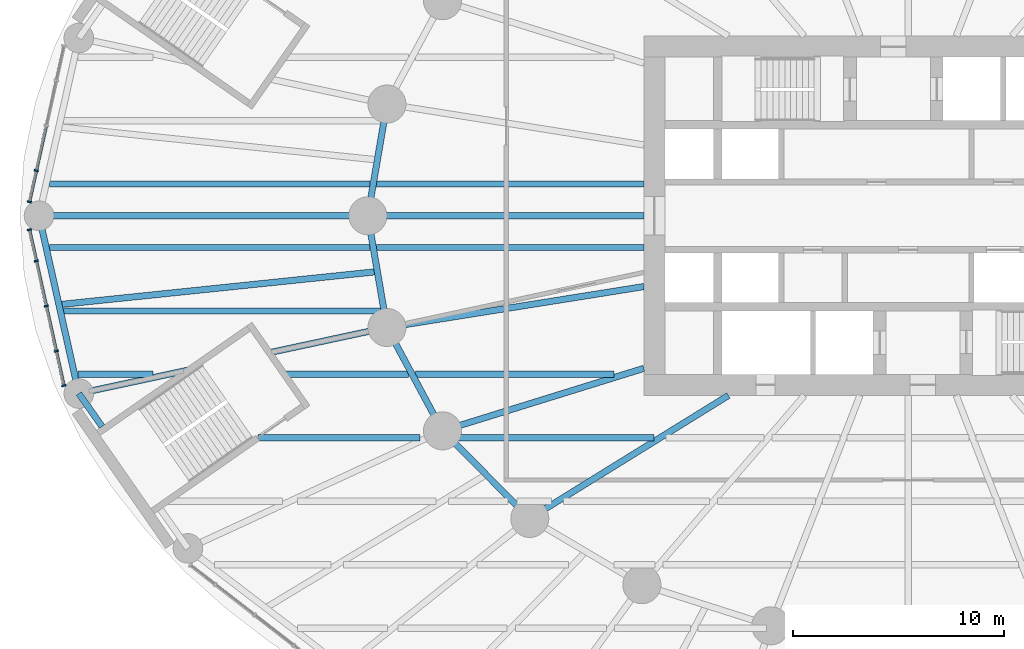
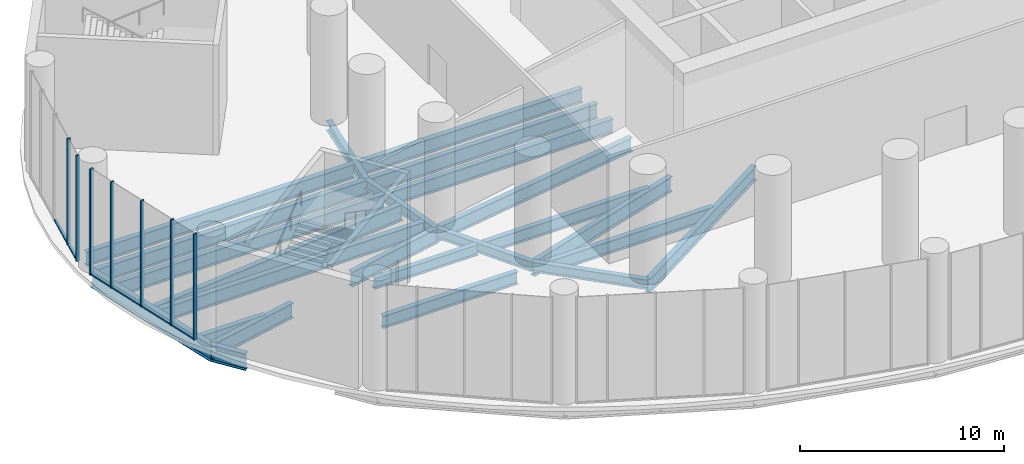
# One storey, part 3 of 22: 24 beams, 13 members, 2 elements without a shape of their own.
"""IFC4 building model written with IfcOpenShell, lengths in metres."""

from ifc_helpers import new_model, si_unit, direction, frame, origin, origin_2d, place, context, subcontext, project, spatial, rectangle, i_section, extrude, material, material_profile, profile_set, type_object, element, aggregate, save


model = new_model("IFC4")

# Units and contexts
model_context = context("Model", 3, precision=1e-05, world=origin(), true_north=direction((0.0, 1.0)))
body_context = subcontext(model_context, "Body", "Model", "MODEL_VIEW")
ifc_project = project(units=[si_unit("LENGTHUNIT", "METRE"), si_unit("AREAUNIT", "SQUARE_METRE"), si_unit("VOLUMEUNIT", "CUBIC_METRE"), si_unit("PLANEANGLEUNIT", "RADIAN"), si_unit("MASSUNIT", "GRAM", prefix="KILO")], contexts=[model_context])

# Site, building, storey
site_placement = place(None, origin())
site = spatial("IfcSite", under=ifc_project, at=site_placement, CompositionType="ELEMENT")
building_placement = place(site_placement, origin())
building = spatial("IfcBuilding", under=site, at=building_placement, Name="Hankou Lantern Tower", CompositionType="ELEMENT")
storey_placement = place(building_placement, frame((0.0, 0.0, 7.199951171875)))
storey = spatial("IfcBuildingStorey", under=building, at=storey_placement, Name="L01", CompositionType="ELEMENT", Elevation=7.199951171875)

# Beams
ifc_material_1 = material(Name="Steel Q355B", Category="steel")
ifc_material_profile_1 = material_profile(ifc_material_1, i_section(OverallWidth=0.300048828125, OverallDepth=0.587890625, WebThickness=0.011962890625, FlangeThickness=0.02001953125, FilletRadius=0.01806640625, at=origin_2d()), Name="HM588x300x12x20")
ifc_profile_set_1 = profile_set([ifc_material_profile_1], Name="Steel Q355B")
beam_type_1 = type_object("IfcBeamType", Name="EB16 RING BEAM HM588x300x12x20", PredefinedType="SPANDREL", material=ifc_profile_set_1)
for number, where, z_axis, x_axis, name in (
    (1, (-24.64697265625, 5.283203125, -0.5439453125), (-0.168489691988, -0.985703415685, 0.0), (0.985703415685, -0.168489691988, 0.0), "Ring beam R12-R13 L01"),
    (2, (-25.550048828125, 0.0, -0.5439453125), (0.168489691988, -0.985703415685, 0.0), (0.985703415685, 0.168489691988, 0.0), "Ring beam R13-R14 L01"),
):
    element("IfcBeam", number, at=place(storey_placement, frame(where, z_axis=z_axis, x_axis=x_axis)), inside=storey, type_object=beam_type_1, Name=name, PredefinedType="SPANDREL", context=body_context, shape_type="SweptSolid", body=[
        extrude(i_section(OverallWidth=0.300048828125, OverallDepth=0.587890625, WebThickness=0.011962890625, FlangeThickness=0.02001953125, FilletRadius=0.01806640625, at=origin_2d()), origin(), (0.0, 0.0, 1.0), 5.35986328125),
    ])
beam_1_placement = place(storey_placement, frame((-24.64697265625, -5.283203125, -0.5439453125), z_axis=(0.473609096023, -0.880735161194, 0.0), x_axis=(0.880735161194, 0.473609096023, 0.0)))
element("IfcBeam", 3, at=beam_1_placement, inside=storey, type_object=beam_type_1, Name="Ring beam R14-R15 L01", PredefinedType="SPANDREL", context=body_context, shape_type="SweptSolid", body=[
    extrude(i_section(OverallWidth=0.300048828125, OverallDepth=0.587890625, WebThickness=0.011962890625, FlangeThickness=0.02001953125, FilletRadius=0.01806640625, at=origin_2d()), origin(), (0.0, 0.0, 1.0), 5.548828125),
])
beam_2_placement = place(storey_placement, frame((-22.01904296875, -10.170166015625, -0.5439453125), z_axis=(0.705727798394, -0.708483079949, 0.0), x_axis=(0.708483079949, 0.705727798394, 0.0)))
element("IfcBeam", 4, at=beam_2_placement, inside=storey, type_object=beam_type_1, Name="Ring beam R15-R16 L01", PredefinedType="SPANDREL", context=body_context, shape_type="SweptSolid", body=[
    extrude(i_section(OverallWidth=0.300048828125, OverallDepth=0.587890625, WebThickness=0.011962890625, FlangeThickness=0.02001953125, FilletRadius=0.01806640625, at=origin_2d()), origin(), (0.0, 0.0, 1.0), 5.84814453125),
])

# Curtain wall, members
ifc_material_2 = material(Name="Glass, dark grey tinted laminated", Category="glass")
curtain_wall_type = type_object("IfcCurtainWallType", Name="CWP PODIUM CURTAIN WALL", PredefinedType="USERDEFINED", material=ifc_material_2)
curtain_wall_1_placement = place(storey_placement, origin())
curtain_wall_1 = element("IfcCurtainWall", 5, at=curtain_wall_1_placement, inside=storey, type_object=curtain_wall_type, Name="CWP L01 PC09", ObjectType="PODIUM GLAZING", PredefinedType="USERDEFINED")
ifc_material_3 = material(Name="Aluminium, black anodised", Category="aluminium")
ifc_material_profile_2 = material_profile(ifc_material_3, rectangle(XDim=0.080078125, YDim=0.199951171875, at=origin_2d()), Name="MU2 80X200")
ifc_profile_set_2 = profile_set([ifc_material_profile_2], Name="Aluminium, black anodised")
member_type_1 = type_object("IfcMemberType", Name="MU2 PODIUM MULLION 80X200", PredefinedType="MULLION", material=ifc_profile_set_2)
member_1_placement = place(storey_placement, frame((-41.228515625, 2.133544921875, 0.0), z_axis=(0.0, 0.0, 1.0), x_axis=(-0.215821488116, -0.976432837049, 0.0)))
member_1 = element("IfcMember", 6, at=member_1_placement, type_object=member_type_1, Name="CWP mullion 4", PredefinedType="MULLION", context=body_context, shape_type="SweptSolid", body=[
    extrude(rectangle(XDim=0.080078125, YDim=0.199951171875, at=origin_2d()), origin(), (0.0, 0.0, 1.0), 6.35009765625),
])
member_2_placement = place(storey_placement, frame((-41.55419921875, 0.659423828125, 0.0), z_axis=(0.0, 0.0, 1.0), x_axis=(-0.215821488116, -0.976432837049, 0.0)))
member_2 = element("IfcMember", 7, at=member_2_placement, type_object=member_type_1, Name="CWP mullion 5", PredefinedType="MULLION", context=body_context, shape_type="SweptSolid", body=[
    extrude(rectangle(XDim=0.080078125, YDim=0.199951171875, at=origin_2d()), origin(), (0.0, 0.0, 1.0), 6.35009765625),
])

curtain_wall_2_placement = place(storey_placement, origin())
curtain_wall_2 = element("IfcCurtainWall", 8, at=curtain_wall_2_placement, inside=storey, type_object=curtain_wall_type, Name="CWP L01 PC10", ObjectType="PODIUM GLAZING", PredefinedType="USERDEFINED")
member_3_placement = place(storey_placement, frame((-41.55419921875, -0.659423828125, 0.0), z_axis=(0.0, 0.0, 1.0), x_axis=(0.215821488116, -0.976432837049, 0.0)))
member_3 = element("IfcMember", 9, at=member_3_placement, type_object=member_type_1, Name="CWP mullion 1", PredefinedType="MULLION", context=body_context, shape_type="SweptSolid", body=[
    extrude(rectangle(XDim=0.080078125, YDim=0.199951171875, at=origin_2d()), origin(), (0.0, 0.0, 1.0), 6.35009765625),
])
member_4_placement = place(storey_placement, frame((-41.228515625, -2.133544921875, 0.0), z_axis=(0.0, 0.0, 1.0), x_axis=(0.215821488116, -0.976432837049, 0.0)))
member_4 = element("IfcMember", 10, at=member_4_placement, type_object=member_type_1, Name="CWP mullion 2", PredefinedType="MULLION", context=body_context, shape_type="SweptSolid", body=[
    extrude(rectangle(XDim=0.080078125, YDim=0.199951171875, at=origin_2d()), origin(), (0.0, 0.0, 1.0), 6.35009765625),
])
member_5_placement = place(storey_placement, frame((-40.7568359375, -4.267333984375, 0.0), z_axis=(0.0, 0.0, 1.0), x_axis=(0.215821488116, -0.976432837049, 0.0)))
member_5 = element("IfcMember", 11, at=member_5_placement, type_object=member_type_1, Name="CWP mullion 3", PredefinedType="MULLION", context=body_context, shape_type="SweptSolid", body=[
    extrude(rectangle(XDim=0.080078125, YDim=0.199951171875, at=origin_2d()), origin(), (0.0, 0.0, 1.0), 6.35009765625),
])
member_6_placement = place(storey_placement, frame((-40.28515625, -6.40087890625, 0.0), z_axis=(0.0, 0.0, 1.0), x_axis=(0.215821488116, -0.976432837049, 0.0)))
member_6 = element("IfcMember", 12, at=member_6_placement, type_object=member_type_1, Name="CWP mullion 4", PredefinedType="MULLION", context=body_context, shape_type="SweptSolid", body=[
    extrude(rectangle(XDim=0.080078125, YDim=0.199951171875, at=origin_2d()), origin(), (0.0, 0.0, 1.0), 6.35009765625),
])
member_7_placement = place(storey_placement, frame((-39.925537109375, -8.028564453125, 0.0), z_axis=(0.0, 0.0, 1.0), x_axis=(0.215821488116, -0.976432837049, 0.0)))
member_7 = element("IfcMember", 13, at=member_7_placement, type_object=member_type_1, Name="CWP mullion 5", PredefinedType="MULLION", context=body_context, shape_type="SweptSolid", body=[
    extrude(rectangle(XDim=0.080078125, YDim=0.199951171875, at=origin_2d()), origin(), (0.0, 0.0, 1.0), 6.35009765625),
])

# Beams
ifc_material_4 = material(Name="Steel Q355B", Category="steel")
ifc_material_profile_3 = material_profile(ifc_material_4, i_section(OverallWidth=0.300048828125, OverallDepth=0.89990234375, WebThickness=0.01611328125, FlangeThickness=0.028076171875, FilletRadius=0.01806640625, at=origin_2d()), Name="HN900x300x16x28")
ifc_profile_set_3 = profile_set([ifc_material_profile_3], Name="Steel Q355B")
beam_type_2 = type_object("IfcBeamType", Name="PB13 PODIUM RADIAL BEAM HN900x300x16x28", PredefinedType="BEAM", material=ifc_profile_set_3)
beam_3_placement = place(storey_placement, frame((-25.550048828125, 0.0, -0.699951171875), z_axis=(-1.0, 0.0, 0.0), x_axis=(0.0, -1.0, 0.0)))
element("IfcBeam", 14, at=beam_3_placement, inside=storey, type_object=beam_type_2, Name="Podium radial beam R13 L01", PredefinedType="BEAM", context=body_context, shape_type="SweptSolid", body=[
    extrude(i_section(OverallWidth=0.300048828125, OverallDepth=0.89990234375, WebThickness=0.01611328125, FlangeThickness=0.028076171875, FilletRadius=0.01806640625, at=origin_2d()), origin(), (0.0, 0.0, 1.0), 15.550048828125),
])
beam_4_placement = place(storey_placement, frame((-24.64697265625, -5.283203125, -0.699951171875), z_axis=(-0.977787338777, -0.209599427782, 0.0), x_axis=(0.209599427782, -0.977787338777, 0.0)))
element("IfcBeam", 15, at=beam_4_placement, inside=storey, type_object=beam_type_2, Name="Podium radial beam R14 L01 inner part", PredefinedType="BEAM", context=body_context, shape_type="SweptSolid", body=[
    extrude(i_section(OverallWidth=0.300048828125, OverallDepth=0.89990234375, WebThickness=0.01611328125, FlangeThickness=0.028076171875, FilletRadius=0.01806640625, at=origin_2d()), origin(), (0.0, 0.0, 1.0), 5.68896484375),
])
beam_5_placement = place(storey_placement, frame((-34.01025390625, -7.29052734375, -0.699951171875), z_axis=(-0.977788323488, -0.209594834028, 0.0), x_axis=(0.209594834028, -0.977788323488, 0.0)))
element("IfcBeam", 16, at=beam_5_placement, inside=storey, type_object=beam_type_2, Name="Podium radial beam R14 L01 outer part", PredefinedType="BEAM", context=body_context, shape_type="SweptSolid", body=[
    extrude(i_section(OverallWidth=0.300048828125, OverallDepth=0.89990234375, WebThickness=0.01611328125, FlangeThickness=0.028076171875, FilletRadius=0.01806640625, at=origin_2d()), origin(), (0.0, 0.0, 1.0), 5.32568359375),
])
ifc_material_5 = material(Name="Steel Q355B", Category="steel")
ifc_material_profile_4 = material_profile(ifc_material_5, i_section(OverallWidth=0.300048828125, OverallDepth=1.0, WebThickness=0.01904296875, FlangeThickness=0.035888671875, FilletRadius=0.01806640625, at=origin_2d()), Name="HN1000x300x19x36")
ifc_profile_set_4 = profile_set([ifc_material_profile_4], Name="Steel Q355B")
beam_type_3 = type_object("IfcBeamType", Name="PR22 PODIUM RING BEAM HN1000x300x19x36", PredefinedType="BEAM", material=ifc_profile_set_4)
beam_6_placement = place(storey_placement, frame((-41.10009765625, 0.0, -0.75), z_axis=(0.218523498172, -0.975831686689, 0.0), x_axis=(0.975831686689, 0.218523498172, 0.0)))
element("IfcBeam", 17, at=beam_6_placement, inside=storey, type_object=beam_type_3, Name="Podium ring beam R13-R14 L01", PredefinedType="BEAM", context=body_context, shape_type="SweptSolid", body=[
    extrude(i_section(OverallWidth=0.300048828125, OverallDepth=1.0, WebThickness=0.01904296875, FlangeThickness=0.035888671875, FilletRadius=0.01806640625, at=origin_2d()), origin(), (0.0, 0.0, 1.0), 8.614990234375),
])
beam_7_placement = place(storey_placement, frame((-39.217529296875, -8.40673828125, -0.75), z_axis=(0.576019631526, -0.817435859317, 0.0), x_axis=(0.817435859317, 0.576019631526, 0.0)))
element("IfcBeam", 18, at=beam_7_placement, inside=storey, type_object=beam_type_3, Name="Podium ring beam R14-R15 L01 west part", PredefinedType="BEAM", context=body_context, shape_type="SweptSolid", body=[
    extrude(i_section(OverallWidth=0.300048828125, OverallDepth=1.0, WebThickness=0.01904296875, FlangeThickness=0.035888671875, FilletRadius=0.01806640625, at=origin_2d()), origin(), (0.0, 0.0, 1.0), 1.9072265625),
])
ifc_material_6 = material(Name="Steel Q355B", Category="steel")
ifc_material_profile_5 = material_profile(ifc_material_6, i_section(OverallWidth=0.300048828125, OverallDepth=1.0, WebThickness=0.01904296875, FlangeThickness=0.035888671875, FilletRadius=0.01806640625, at=origin_2d()), Name="HN1000x300x19x36")
ifc_profile_set_5 = profile_set([ifc_material_profile_5], Name="Steel Q355B")
beam_type_4 = type_object("IfcBeamType", Name="PS22 PODIUM SECONDARY BEAM HN1000x300x19x36", PredefinedType="JOIST", material=ifc_profile_set_5)
beam_8_placement = place(storey_placement, frame((-25.098388671875, -2.6416015625, -0.75), z_axis=(-0.994666039581, -0.103147805132, 0.0), x_axis=(0.103147805132, -0.994666039581, 0.0)))
element("IfcBeam", 19, at=beam_8_placement, inside=storey, type_object=beam_type_4, Name="Podium secondary beam bay R13 L01", PredefinedType="JOIST", context=body_context, shape_type="SweptSolid", body=[
    extrude(i_section(OverallWidth=0.300048828125, OverallDepth=1.0, WebThickness=0.01904296875, FlangeThickness=0.035888671875, FilletRadius=0.01806640625, at=origin_2d()), origin(), (0.0, 0.0, 1.0), 15.14111328125),
])
ifc_material_7 = material(Name="Steel Q355B", Category="steel")
ifc_material_profile_6 = material_profile(ifc_material_7, i_section(OverallWidth=0.300048828125, OverallDepth=0.85009765625, WebThickness=0.01611328125, FlangeThickness=0.027099609375, FilletRadius=0.01806640625, at=origin_2d()), Name="HN850x300x16x27")
ifc_profile_set_6 = profile_set([ifc_material_profile_6], Name="Steel Q355B")
beam_type_5 = type_object("IfcBeamType", Name="RB12 RADIAL BEAM HN850x300x16x27", PredefinedType="BEAM", material=ifc_profile_set_6)
beam_9_placement = place(storey_placement, frame((-12.5, -3.349365234375, -0.675048828125), z_axis=(-0.987563081343, -0.157223281893, 0.0), x_axis=(0.157223281893, -0.987563081343, 0.0)))
element("IfcBeam", 20, at=beam_9_placement, inside=storey, type_object=beam_type_5, Name="Radial beam R14 L01", PredefinedType="BEAM", context=body_context, shape_type="SweptSolid", body=[
    extrude(i_section(OverallWidth=0.300048828125, OverallDepth=0.85009765625, WebThickness=0.01611328125, FlangeThickness=0.027099609375, FilletRadius=0.01806640625, at=origin_2d()), origin(), (0.0, 0.0, 1.0), 12.300048828125),
])
beam_10_placement = place(storey_placement, frame((-8.5, -8.5, -0.675048828125), z_axis=(-0.850286343288, -0.526320372414, 0.0), x_axis=(0.526320372414, -0.850286343288, 0.0)))
element("IfcBeam", 21, at=beam_10_placement, inside=storey, type_object=beam_type_5, Name="Radial beam R16 L01", PredefinedType="BEAM", context=body_context, shape_type="SweptSolid", body=[
    extrude(i_section(OverallWidth=0.300048828125, OverallDepth=0.85009765625, WebThickness=0.01611328125, FlangeThickness=0.027099609375, FilletRadius=0.01806640625, at=origin_2d()), origin(), (0.0, 0.0, 1.0), 11.04541015625),
])
ifc_material_8 = material(Name="Steel Q355B", Category="steel")
ifc_material_profile_7 = material_profile(ifc_material_8, i_section(OverallWidth=0.300048828125, OverallDepth=0.89990234375, WebThickness=0.01611328125, FlangeThickness=0.028076171875, FilletRadius=0.01806640625, at=origin_2d()), Name="HN900x300x16x28")
ifc_profile_set_7 = profile_set([ifc_material_profile_7], Name="Steel Q355B")
beam_type_6 = type_object("IfcBeamType", Name="RB13 RADIAL BEAM HN900x300x16x28", PredefinedType="BEAM", material=ifc_profile_set_7)
beam_11_placement = place(storey_placement, frame((-12.5, 0.0, -0.699951171875), z_axis=(-1.0, 0.0, 0.0), x_axis=(0.0, -1.0, 0.0)))
element("IfcBeam", 22, at=beam_11_placement, inside=storey, type_object=beam_type_6, Name="Radial beam R13 L01", PredefinedType="BEAM", context=body_context, shape_type="SweptSolid", body=[
    extrude(i_section(OverallWidth=0.300048828125, OverallDepth=0.89990234375, WebThickness=0.01611328125, FlangeThickness=0.028076171875, FilletRadius=0.01806640625, at=origin_2d()), origin(), (0.0, 0.0, 1.0), 13.050048828125),
])
beam_12_placement = place(storey_placement, frame((-12.5, -7.216796875, -0.699951171875), z_axis=(-0.955087327755, -0.29632447817, 0.0), x_axis=(0.29632447817, -0.955087327755, 0.0)))
element("IfcBeam", 23, at=beam_12_placement, inside=storey, type_object=beam_type_6, Name="Radial beam R15 L01", PredefinedType="BEAM", context=body_context, shape_type="SweptSolid", body=[
    extrude(i_section(OverallWidth=0.300048828125, OverallDepth=0.89990234375, WebThickness=0.01611328125, FlangeThickness=0.028076171875, FilletRadius=0.01806640625, at=origin_2d()), origin(), (0.0, 0.0, 1.0), 9.966552734375),
])
ifc_material_9 = material(Name="Steel Q355B", Category="steel")
ifc_material_profile_8 = material_profile(ifc_material_9, i_section(OverallWidth=0.300048828125, OverallDepth=0.75, WebThickness=0.012939453125, FlangeThickness=0.02392578125, FilletRadius=0.01806640625, at=origin_2d()), Name="HN750x300x13x24")
ifc_profile_set_8 = profile_set([ifc_material_profile_8], Name="Steel Q355B")
beam_type_7 = type_object("IfcBeamType", Name="SB10 SECONDARY BEAM HN750x300x13x24", PredefinedType="JOIST", material=ifc_profile_set_8)
beam_13_placement = place(storey_placement, frame((-30.743896484375, -10.5, -0.625), z_axis=(1.0, 0.0, 0.0), x_axis=(0.0, 1.0, 0.0)))
element("IfcBeam", 24, at=beam_13_placement, inside=storey, type_object=beam_type_7, Name="Floor joist J059 L01", PredefinedType="JOIST", context=body_context, shape_type="SweptSolid", body=[
    extrude(i_section(OverallWidth=0.300048828125, OverallDepth=0.75, WebThickness=0.012939453125, FlangeThickness=0.02392578125, FilletRadius=0.01806640625, at=origin_2d()), origin(), (0.0, 0.0, 1.0), 7.653076171875),
])
beam_14_placement = place(storey_placement, frame((-21.478759765625, -10.5, -0.625), z_axis=(1.0, 0.0, 0.0), x_axis=(0.0, 1.0, 0.0)))
element("IfcBeam", 25, at=beam_14_placement, inside=storey, type_object=beam_type_7, Name="Floor joist J060 L01", PredefinedType="JOIST", context=body_context, shape_type="SweptSolid", body=[
    extrude(i_section(OverallWidth=0.300048828125, OverallDepth=0.75, WebThickness=0.012939453125, FlangeThickness=0.02392578125, FilletRadius=0.01806640625, at=origin_2d()), origin(), (0.0, 0.0, 1.0), 9.462646484375),
])
beam_15_placement = place(storey_placement, frame((-23.28466796875, -7.5, -0.625), z_axis=(1.0, 0.0, 0.0), x_axis=(0.0, 1.0, 0.0)))
element("IfcBeam", 26, at=beam_15_placement, inside=storey, type_object=beam_type_7, Name="Floor joist J071 L01", PredefinedType="JOIST", context=body_context, shape_type="SweptSolid", body=[
    extrude(i_section(OverallWidth=0.300048828125, OverallDepth=0.75, WebThickness=0.012939453125, FlangeThickness=0.02392578125, FilletRadius=0.01806640625, at=origin_2d()), origin(), (0.0, 0.0, 1.0), 9.365966796875),
])
ifc_material_10 = material(Name="Steel Q355B", Category="steel")
ifc_material_profile_9 = material_profile(ifc_material_10, i_section(OverallWidth=0.300048828125, OverallDepth=0.85009765625, WebThickness=0.01611328125, FlangeThickness=0.027099609375, FilletRadius=0.01806640625, at=origin_2d()), Name="HN850x300x16x27")
ifc_profile_set_9 = profile_set([ifc_material_profile_9], Name="Steel Q355B")
beam_type_8 = type_object("IfcBeamType", Name="SB12 SECONDARY BEAM HN850x300x16x27", PredefinedType="JOIST", material=ifc_profile_set_9)
beam_16_placement = place(storey_placement, frame((-39.938720703125, -4.5, -0.675048828125), z_axis=(1.0, 0.0, 0.0), x_axis=(0.0, 1.0, 0.0)))
element("IfcBeam", 27, at=beam_16_placement, inside=storey, type_object=beam_type_8, Name="Floor joist J075 L01", PredefinedType="JOIST", context=body_context, shape_type="SweptSolid", body=[
    extrude(i_section(OverallWidth=0.300048828125, OverallDepth=0.85009765625, WebThickness=0.01611328125, FlangeThickness=0.027099609375, FilletRadius=0.01806640625, at=origin_2d()), origin(), (0.0, 0.0, 1.0), 15.005615234375),
])
beam_17_placement = place(storey_placement, frame((-40.6103515625, -1.5, -0.675048828125), z_axis=(1.0, 0.0, 0.0), x_axis=(0.0, 1.0, 0.0)))
element("IfcBeam", 28, at=beam_17_placement, inside=storey, type_object=beam_type_8, Name="Floor joist J081 L01", PredefinedType="JOIST", context=body_context, shape_type="SweptSolid", body=[
    extrude(i_section(OverallWidth=0.300048828125, OverallDepth=0.85009765625, WebThickness=0.01611328125, FlangeThickness=0.027099609375, FilletRadius=0.01806640625, at=origin_2d()), origin(), (0.0, 0.0, 1.0), 15.16455078125),
])
beam_18_placement = place(storey_placement, frame((-25.141357421875, -1.5, -0.675048828125), z_axis=(1.0, 0.0, 0.0), x_axis=(0.0, 1.0, 0.0)))
element("IfcBeam", 29, at=beam_18_placement, inside=storey, type_object=beam_type_8, Name="Floor joist J082 L01", PredefinedType="JOIST", context=body_context, shape_type="SweptSolid", body=[
    extrude(i_section(OverallWidth=0.300048828125, OverallDepth=0.85009765625, WebThickness=0.01611328125, FlangeThickness=0.027099609375, FilletRadius=0.01806640625, at=origin_2d()), origin(), (0.0, 0.0, 1.0), 12.641357421875),
])
beam_19_placement = place(storey_placement, frame((-40.6103515625, 1.5, -0.675048828125), z_axis=(1.0, 0.0, 0.0), x_axis=(0.0, 1.0, 0.0)))
element("IfcBeam", 30, at=beam_19_placement, inside=storey, type_object=beam_type_8, Name="Floor joist J085 L01", PredefinedType="JOIST", context=body_context, shape_type="SweptSolid", body=[
    extrude(i_section(OverallWidth=0.300048828125, OverallDepth=0.85009765625, WebThickness=0.01611328125, FlangeThickness=0.027099609375, FilletRadius=0.01806640625, at=origin_2d()), origin(), (0.0, 0.0, 1.0), 15.16455078125),
])
beam_20_placement = place(storey_placement, frame((-25.141357421875, 1.5, -0.675048828125), z_axis=(1.0, 0.0, 0.0), x_axis=(0.0, 1.0, 0.0)))
element("IfcBeam", 31, at=beam_20_placement, inside=storey, type_object=beam_type_8, Name="Floor joist J086 L01", PredefinedType="JOIST", context=body_context, shape_type="SweptSolid", body=[
    extrude(i_section(OverallWidth=0.300048828125, OverallDepth=0.85009765625, WebThickness=0.01611328125, FlangeThickness=0.027099609375, FilletRadius=0.01806640625, at=origin_2d()), origin(), (0.0, 0.0, 1.0), 12.641357421875),
])
ifc_material_11 = material(Name="Steel Q355B", Category="steel")
ifc_material_profile_10 = material_profile(ifc_material_11, i_section(OverallWidth=0.300048828125, OverallDepth=0.64990234375, WebThickness=0.010986328125, FlangeThickness=0.01708984375, FilletRadius=0.01806640625, at=origin_2d()), Name="HN650x300x11x17")
ifc_profile_set_10 = profile_set([ifc_material_profile_10], Name="Steel Q355B")
beam_type_9 = type_object("IfcBeamType", Name="SB8 SECONDARY BEAM HN650x300x11x17", PredefinedType="JOIST", material=ifc_profile_set_10)
beam_21_placement = place(storey_placement, frame((-39.266845703125, -7.5, -0.574951171875), z_axis=(1.0, 0.0, 0.0), x_axis=(0.0, 1.0, 0.0)))
element("IfcBeam", 32, at=beam_21_placement, inside=storey, type_object=beam_type_9, Name="Floor joist J069 L01", PredefinedType="JOIST", context=body_context, shape_type="SweptSolid", body=[
    extrude(i_section(OverallWidth=0.300048828125, OverallDepth=0.64990234375, WebThickness=0.010986328125, FlangeThickness=0.01708984375, FilletRadius=0.01806640625, at=origin_2d()), origin(), (0.0, 0.0, 1.0), 3.563232421875),
])
beam_22_placement = place(storey_placement, frame((-29.496826171875, -7.5, -0.574951171875), z_axis=(1.0, 0.0, 0.0), x_axis=(0.0, 1.0, 0.0)))
element("IfcBeam", 33, at=beam_22_placement, inside=storey, type_object=beam_type_9, Name="Floor joist J070 L01", PredefinedType="JOIST", context=body_context, shape_type="SweptSolid", body=[
    extrude(i_section(OverallWidth=0.300048828125, OverallDepth=0.64990234375, WebThickness=0.010986328125, FlangeThickness=0.01708984375, FilletRadius=0.01806640625, at=origin_2d()), origin(), (0.0, 0.0, 1.0), 5.87158203125),
])

# Member
ifc_material_12 = material(Name="Aluminium, black anodised", Category="aluminium")
ifc_material_profile_11 = material_profile(ifc_material_12, rectangle(XDim=0.14990234375, YDim=0.080078125, at=origin_2d()), Name="TR2 150X80")
ifc_profile_set_11 = profile_set([ifc_material_profile_11], Name="Aluminium, black anodised")
member_type_2 = type_object("IfcMemberType", Name="TR2 PODIUM TRANSOM 150X80", PredefinedType="USERDEFINED", material=ifc_profile_set_11)
member_8_placement = place(storey_placement, frame((-40.765380859375, 4.228271484375, 0.0400390625), z_axis=(-0.215812948044, -0.976434724627, 0.0), x_axis=(0.976434724627, -0.215812948044, 0.0)))
member_8 = element("IfcMember", 34, at=member_8_placement, type_object=member_type_2, Name="CWP transom 3", ObjectType="TRANSOM", PredefinedType="USERDEFINED", context=body_context, shape_type="SweptSolid", body=[
    extrude(rectangle(XDim=0.14990234375, YDim=0.080078125, at=origin_2d()), origin(), (0.0, 0.0, 1.0), 2.105224609375),
])

member_9_placement = place(storey_placement, frame((-41.237060546875, 2.094482421875, 0.0400390625), z_axis=(-0.215845471344, -0.976427535714, 0.0), x_axis=(0.976427535714, -0.215845471344, 0.0)))
member_9 = element("IfcMember", 35, at=member_9_placement, type_object=member_type_2, Name="CWP transom 4", ObjectType="TRANSOM", PredefinedType="USERDEFINED", context=body_context, shape_type="SweptSolid", body=[
    extrude(rectangle(XDim=0.14990234375, YDim=0.080078125, at=origin_2d()), origin(), (0.0, 0.0, 1.0), 1.4296875),
])

aggregate(curtain_wall_1, [member_1, member_2, member_8, member_9])

member_10_placement = place(storey_placement, frame((-41.545654296875, -0.698486328125, 0.0400390625), z_axis=(0.215845471344, -0.976427535714, 0.0), x_axis=(0.976427535714, 0.215845471344, 0.0)))
member_10 = element("IfcMember", 36, at=member_10_placement, type_object=member_type_2, Name="CWP transom 1", ObjectType="TRANSOM", PredefinedType="USERDEFINED", context=body_context, shape_type="SweptSolid", body=[
    extrude(rectangle(XDim=0.14990234375, YDim=0.080078125, at=origin_2d()), origin(), (0.0, 0.0, 1.0), 1.4296875),
])

member_11_placement = place(storey_placement, frame((-41.2197265625, -2.172607421875, 0.0400390625), z_axis=(0.215812948044, -0.976434724627, 0.0), x_axis=(0.976434724627, 0.215812948044, 0.0)))
member_11 = element("IfcMember", 37, at=member_11_placement, type_object=member_type_2, Name="CWP transom 2", ObjectType="TRANSOM", PredefinedType="USERDEFINED", context=body_context, shape_type="SweptSolid", body=[
    extrude(rectangle(XDim=0.14990234375, YDim=0.080078125, at=origin_2d()), origin(), (0.0, 0.0, 1.0), 2.105224609375),
])

member_12_placement = place(storey_placement, frame((-40.748291015625, -4.30615234375, 0.0400390625), z_axis=(0.215812948044, -0.976434724627, 0.0), x_axis=(0.976434724627, 0.215812948044, 0.0)))
member_12 = element("IfcMember", 38, at=member_12_placement, type_object=member_type_2, Name="CWP transom 3", ObjectType="TRANSOM", PredefinedType="USERDEFINED", context=body_context, shape_type="SweptSolid", body=[
    extrude(rectangle(XDim=0.14990234375, YDim=0.080078125, at=origin_2d()), origin(), (0.0, 0.0, 1.0), 2.105224609375),
])

member_13_placement = place(storey_placement, frame((-40.276611328125, -6.43994140625, 0.0400390625), z_axis=(0.215838955929, -0.976428975965, 0.0), x_axis=(0.976428975965, 0.215838955929, 0.0)))
member_13 = element("IfcMember", 39, at=member_13_placement, type_object=member_type_2, Name="CWP transom 4", ObjectType="TRANSOM", PredefinedType="USERDEFINED", context=body_context, shape_type="SweptSolid", body=[
    extrude(rectangle(XDim=0.14990234375, YDim=0.080078125, at=origin_2d()), origin(), (0.0, 0.0, 1.0), 1.5869140625),
])

aggregate(curtain_wall_2, [member_3, member_4, member_5, member_6, member_7, member_10, member_11, member_12, member_13])

save(model, "model.ifc")
